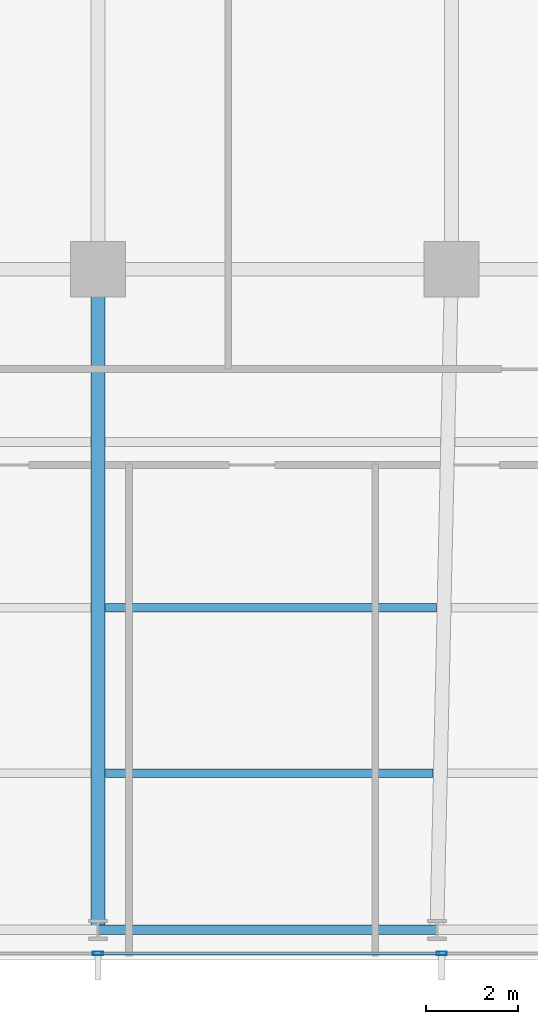
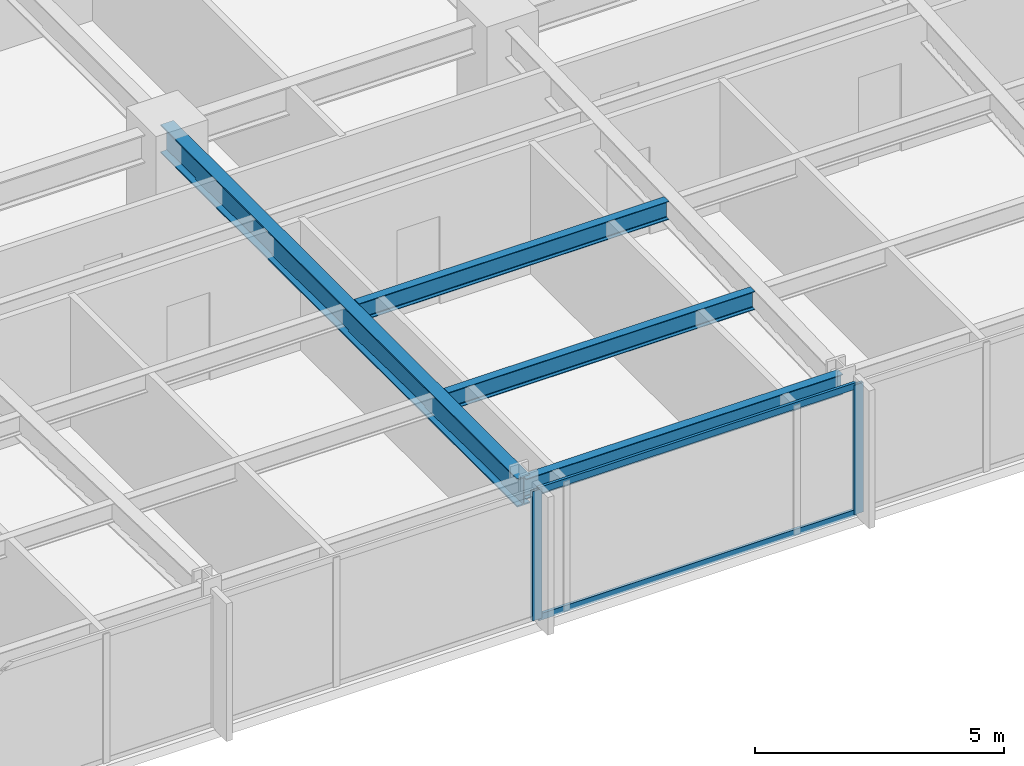
# One storey, part 11 of 33: 4 beams, 4 members, 1 element without a shape of its own.
"""IFC4 building model written with IfcOpenShell, lengths in metres."""

from ifc_helpers import new_model, si_unit, direction, frame, origin, origin_2d, place, context, subcontext, project, spatial, hollow_rectangle, i_section, extrude, material, material_profile, profile_set, type_object, element, aggregate, save


model = new_model("IFC4")

# Units and contexts
model_context = context("Model", 3, precision=1e-05, world=origin(), true_north=direction((0.0, 1.0)))
body_context = subcontext(model_context, "Body", "Model", "MODEL_VIEW")
ifc_project = project(units=[si_unit("LENGTHUNIT", "METRE"), si_unit("AREAUNIT", "SQUARE_METRE"), si_unit("VOLUMEUNIT", "CUBIC_METRE"), si_unit("PLANEANGLEUNIT", "RADIAN"), si_unit("MASSUNIT", "GRAM", prefix="KILO")], contexts=[model_context])

# Site, building, storey
site_placement = place(None, origin())
site = spatial("IfcSite", under=ifc_project, at=site_placement, CompositionType="ELEMENT")
building_placement = place(site_placement, origin())
building = spatial("IfcBuilding", under=site, at=building_placement, Name="Yelkora Congress Tower", CompositionType="ELEMENT")
storey_placement = place(building_placement, frame((0.0, 0.0, 37.199951171875)))
storey = spatial("IfcBuildingStorey", under=building, at=storey_placement, Name="L08", CompositionType="ELEMENT", Elevation=37.199951171875)

# Beams
ifc_material_1 = material(Name="Steel S355J2", Category="steel")
ifc_material_profile_1 = material_profile(ifc_material_1, i_section(OverallWidth=0.300048828125, OverallDepth=0.699951171875, WebThickness=0.01708984375, FlangeThickness=0.031982421875, FilletRadius=0.027099609375, at=origin_2d()), Name="HEB 700")
ifc_profile_set_1 = profile_set([ifc_material_profile_1], Name="Steel S355J2")
beam_type_1 = type_object("IfcBeamType", Name="BM-GIRD-HEB700", PredefinedType="BEAM", material=ifc_profile_set_1)
beam_1_placement = place(storey_placement, frame((38.39990234375, 10.85009765625, 2.830078125), z_axis=(0.0, 1.0, 0.0), x_axis=(-1.0, 0.0, 0.0)))
element("IfcBeam", 1, at=beam_1_placement, inside=storey, type_object=beam_type_1, Name="L08 Primary Frame Girder S05", PredefinedType="BEAM", context=body_context, shape_type="SweptSolid", body=[
    extrude(i_section(OverallWidth=0.300048828125, OverallDepth=0.699951171875, WebThickness=0.01708984375, FlangeThickness=0.031982421875, FilletRadius=0.027099609375, at=origin_2d()), origin(), (0.0, 0.0, 1.0), 14.349853515625),
])
ifc_material_profile_2 = material_profile(ifc_material_1, i_section(OverallWidth=0.18994140625, OverallDepth=0.449951171875, WebThickness=0.009521484375, FlangeThickness=0.0146484375, FilletRadius=0.02099609375, at=origin_2d()), Name="IPE 450")
ifc_profile_set_2 = profile_set([ifc_material_profile_2], Name="Steel S355J2")
beam_type_2 = type_object("IfcBeamType", Name="BM-JOIST-IPE450", PredefinedType="JOIST", material=ifc_profile_set_2)
beam_2_placement = place(storey_placement, frame((38.56005859375, 14.25, 2.955078125), z_axis=(1.0, 0.0, 0.0), x_axis=(0.0, 1.0, 0.0)))
element("IfcBeam", 2, at=beam_2_placement, inside=storey, type_object=beam_type_2, Name="L08 Composite Floor Joist 5", PredefinedType="JOIST", context=body_context, shape_type="SweptSolid", body=[
    extrude(i_section(OverallWidth=0.18994140625, OverallDepth=0.449951171875, WebThickness=0.009521484375, FlangeThickness=0.0146484375, FilletRadius=0.02099609375, at=origin_2d()), origin(), (0.0, 0.0, 1.0), 7.11767578125),
])
beam_3_placement = place(storey_placement, frame((38.56005859375, 17.85009765625, 2.955078125), z_axis=(1.0, 0.0, 0.0), x_axis=(0.0, 1.0, 0.0)))
element("IfcBeam", 3, at=beam_3_placement, inside=storey, type_object=beam_type_2, Name="L08 Composite Floor Joist 13", PredefinedType="JOIST", context=body_context, shape_type="SweptSolid", body=[
    extrude(i_section(OverallWidth=0.18994140625, OverallDepth=0.449951171875, WebThickness=0.009521484375, FlangeThickness=0.0146484375, FilletRadius=0.02099609375, at=origin_2d()), origin(), (0.0, 0.0, 1.0), 7.197265625),
])
ifc_material_profile_3 = material_profile(ifc_material_1, i_section(OverallWidth=0.199951171875, OverallDepth=0.5, WebThickness=0.01025390625, FlangeThickness=0.01611328125, FilletRadius=0.02099609375, at=origin_2d()), Name="IPE 500")
ifc_profile_set_3 = profile_set([ifc_material_profile_3], Name="Steel S355J2")
beam_type_3 = type_object("IfcBeamType", Name="BM-SPAN-IPE500", PredefinedType="SPANDREL", material=ifc_profile_set_3)
beam_4_placement = place(storey_placement, frame((38.39990234375, 10.85009765625, 2.929931640625), z_axis=(1.0, 0.0, 0.0), x_axis=(0.0, 1.0, 0.0)))
element("IfcBeam", 4, at=beam_4_placement, inside=storey, type_object=beam_type_3, Name="L08 Perimeter Beam 6", PredefinedType="SPANDREL", context=body_context, shape_type="SweptSolid", body=[
    extrude(i_section(OverallWidth=0.199951171875, OverallDepth=0.5, WebThickness=0.01025390625, FlangeThickness=0.01611328125, FilletRadius=0.02099609375, at=origin_2d()), origin(), (0.0, 0.0, 1.0), 7.362548828125),
])

# Curtain wall, members
ifc_material_2 = material(Name="Anodised aluminium and insulated glass", Category="aluminium")
curtain_wall_type = type_object("IfcCurtainWallType", Name="CW-SYS-B1", PredefinedType="NOTDEFINED", material=ifc_material_2)
curtain_wall_placement = place(storey_placement, origin())
curtain_wall = element("IfcCurtainWall", 5, at=curtain_wall_placement, inside=storey, type_object=curtain_wall_type, Name="L08 Unitised Curtain Wall 20", PredefinedType="NOTDEFINED")
ifc_material_3 = material(Name="Anodised aluminium 6063-T6", Category="aluminium")
ifc_material_profile_4 = material_profile(ifc_material_3, hollow_rectangle(XDim=0.074951171875, YDim=0.219970703125, WallThickness=0.0048828125, at=origin_2d()), Name="ALU 75x220x5")
ifc_profile_set_4 = profile_set([ifc_material_profile_4], Name="Anodised aluminium 6063-T6")
member_type_1 = type_object("IfcMemberType", Name="MEM-ML-B1", PredefinedType="MULLION", material=ifc_profile_set_4)
member_1_placement = place(storey_placement, frame((45.864990234375, 10.340087890625, 0.0), z_axis=(0.0, 0.0, 1.0), x_axis=(0.0, -1.0, 0.0)))
member_1 = element("IfcMember", 6, at=member_1_placement, type_object=member_type_1, Name="CW-B1 mullion 4", PredefinedType="MULLION", context=body_context, shape_type="SweptSolid", body=[
    extrude(hollow_rectangle(XDim=0.074951171875, YDim=0.219970703125, WallThickness=0.0048828125, at=origin_2d()), origin(), (0.0, 0.0, 1.0), 3.179931640625),
])
member_2_placement = place(storey_placement, frame((38.39990234375, 10.340087890625, 0.0), z_axis=(0.0, 0.0, 1.0), x_axis=(0.0, -1.0, 0.0)))
member_2 = element("IfcMember", 7, at=member_2_placement, type_object=member_type_1, Name="CW-B1 mullion 5", PredefinedType="MULLION", context=body_context, shape_type="SweptSolid", body=[
    extrude(hollow_rectangle(XDim=0.074951171875, YDim=0.219970703125, WallThickness=0.0048828125, at=origin_2d()), origin(), (0.0, 0.0, 1.0), 3.179931640625),
])
ifc_material_profile_5 = material_profile(ifc_material_3, hollow_rectangle(XDim=0.06494140625, YDim=0.159912109375, WallThickness=0.00390625, at=origin_2d()), Name="ALU 65x160x4")
ifc_profile_set_5 = profile_set([ifc_material_profile_5], Name="Anodised aluminium 6063-T6")
member_type_2 = type_object("IfcMemberType", Name="MEM-TR-B1", PredefinedType="USERDEFINED", material=ifc_profile_set_5)
member_3_placement = place(storey_placement, frame((45.827392578125, 10.340087890625, 0.032470703125), z_axis=(-1.0, 0.0, 0.0), x_axis=(0.0, -1.0, 0.0)))
member_3 = element("IfcMember", 8, at=member_3_placement, type_object=member_type_2, Name="CW-B1 transom 4.1", ObjectType="TRANSOM", PredefinedType="USERDEFINED", context=body_context, shape_type="SweptSolid", body=[
    extrude(hollow_rectangle(XDim=0.06494140625, YDim=0.159912109375, WallThickness=0.00390625, at=origin_2d()), origin(), (0.0, 0.0, 1.0), 7.389892578125),
])
member_4_placement = place(storey_placement, frame((45.827392578125, 10.340087890625, 3.1474609375), z_axis=(-1.0, 0.0, 0.0), x_axis=(0.0, -1.0, 0.0)))
member_4 = element("IfcMember", 9, at=member_4_placement, type_object=member_type_2, Name="CW-B1 transom 4.2", ObjectType="TRANSOM", PredefinedType="USERDEFINED", context=body_context, shape_type="SweptSolid", body=[
    extrude(hollow_rectangle(XDim=0.06494140625, YDim=0.159912109375, WallThickness=0.00390625, at=origin_2d()), origin(), (0.0, 0.0, 1.0), 7.389892578125),
])
aggregate(curtain_wall, [member_1, member_2, member_3, member_4])

save(model, "model.ifc")
